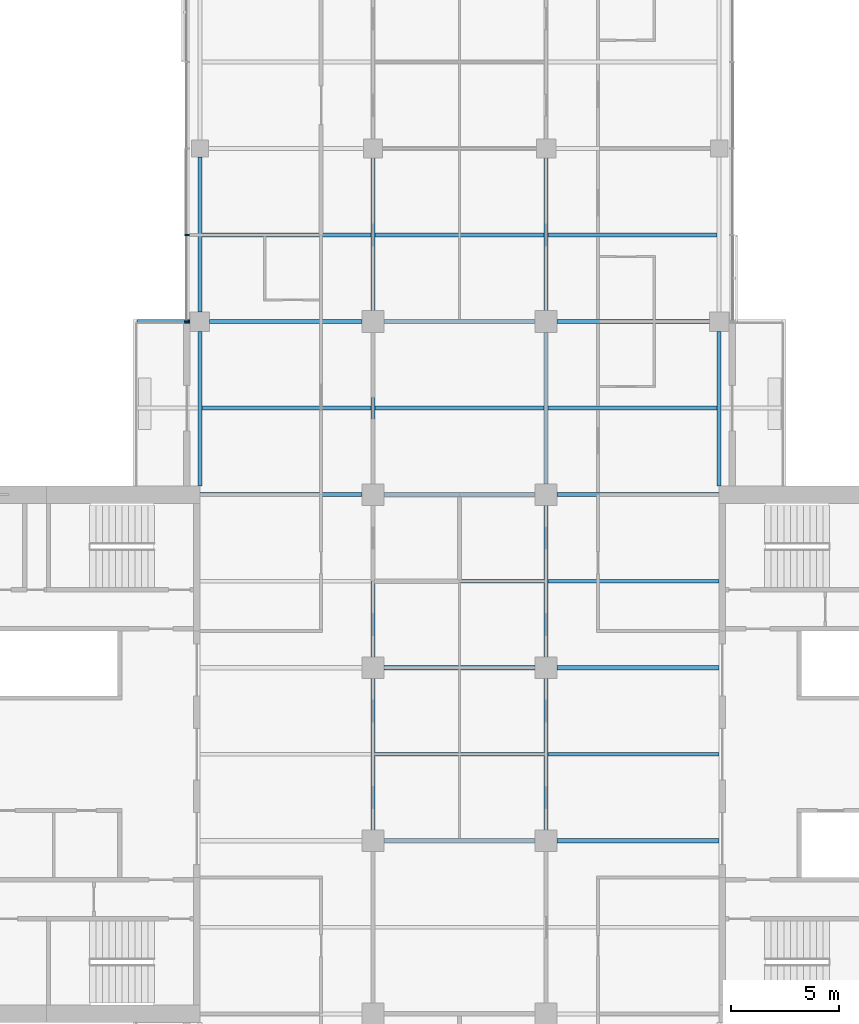
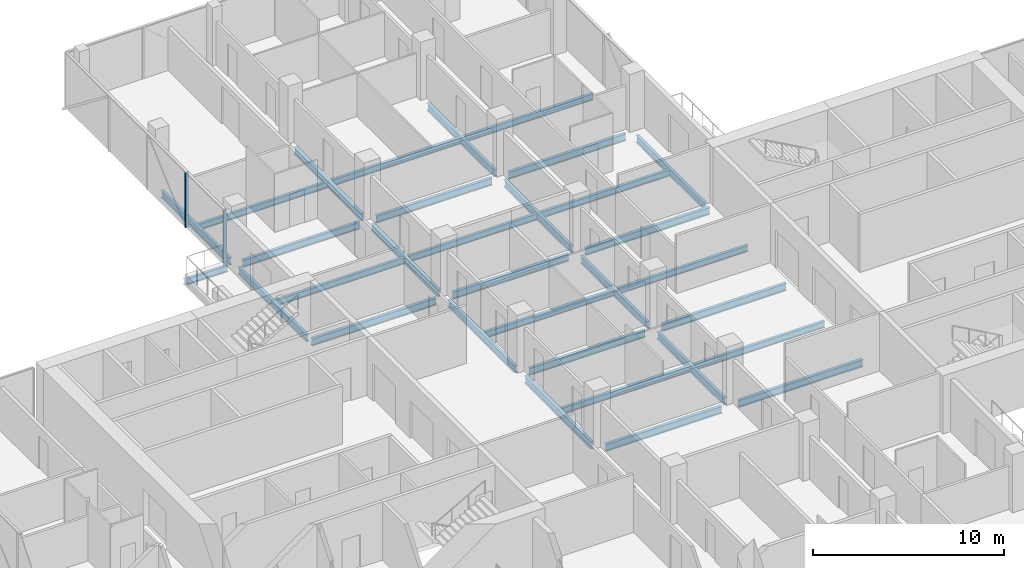
# One storey, part 9 of 27: 32 beams, 2 members, 1 element without a shape of its own.
"""IFC4 building model written with IfcOpenShell, lengths in metres."""

from ifc_helpers import new_model, si_unit, direction, frame, origin, origin_2d, place, context, subcontext, project, spatial, rectangle, i_section, extrude, material, material_profile, profile_set, type_object, element, aggregate, save


model = new_model("IFC4")

# Units and contexts
model_context = context("Model", 3, precision=1e-05, world=origin(), true_north=direction((0.0, 1.0)))
body_context = subcontext(model_context, "Body", "Model", "MODEL_VIEW")
ifc_project = project(units=[si_unit("LENGTHUNIT", "METRE"), si_unit("AREAUNIT", "SQUARE_METRE"), si_unit("VOLUMEUNIT", "CUBIC_METRE"), si_unit("PLANEANGLEUNIT", "RADIAN"), si_unit("MASSUNIT", "GRAM", prefix="KILO")], contexts=[model_context])

# Site, building, storey
site_placement = place(None, origin())
site = spatial("IfcSite", under=ifc_project, at=site_placement, CompositionType="ELEMENT")
building_placement = place(site_placement, origin())
building = spatial("IfcBuilding", under=site, at=building_placement, Name="Crosswind Convention Tower", CompositionType="ELEMENT")
storey_placement = place(building_placement, frame((0.0, 0.0, 101.60009765625)))
storey = spatial("IfcBuildingStorey", under=building, at=storey_placement, Name="L20", CompositionType="ELEMENT", Elevation=101.60009765625)

# Beams
ifc_material_1 = material(Name="Steel S355", Category="steel")
ifc_material_profile_1 = material_profile(ifc_material_1, i_section(OverallWidth=0.177734375, OverallDepth=0.406494140625, WebThickness=0.0078125, FlangeThickness=0.0126953125, FilletRadius=0.01025390625, at=origin_2d()), Name="UB 406x178x60")
ifc_profile_set_1 = profile_set([ifc_material_profile_1], Name="Steel S355")
beam_type_1 = type_object("IfcBeamType", Name="Balcony cantilever UB 406x178x60", PredefinedType="BEAM", material=ifc_profile_set_1)
beam_1_placement = place(storey_placement, frame((112.550048828125, 120.0, -0.4833984375), z_axis=(-1.0, 0.0, 0.0), x_axis=(0.0, -1.0, 0.0)))
element("IfcBeam", 1, at=beam_1_placement, inside=storey, type_object=beam_type_1, Name="B35 L20 balcony cantilever NW 5", PredefinedType="BEAM", context=body_context, shape_type="SweptSolid", body=[
    extrude(i_section(OverallWidth=0.177734375, OverallDepth=0.406494140625, WebThickness=0.0078125, FlangeThickness=0.0126953125, FilletRadius=0.01025390625, at=origin_2d()), origin(), (0.0, 0.0, 1.0), 2.464599609375),
])
ifc_material_profile_2 = material_profile(ifc_material_1, i_section(OverallWidth=0.1904296875, OverallDepth=0.457275390625, WebThickness=0.009033203125, FlangeThickness=0.014404296875, FilletRadius=0.01025390625, at=origin_2d()), Name="UB 457x191x75")
ifc_profile_set_2 = profile_set([ifc_material_profile_2], Name="Steel S355")
beam_type_2 = type_object("IfcBeamType", Name="Edge beam UB 457x191x75", PredefinedType="SPANDREL", material=ifc_profile_set_2)
for number, where, z_axis, x_axis, name in (
    (2, (113.0, 112.39990234375, -0.5087890625), (0.0, 1.0, 0.0), (-1.0, 0.0, 0.0), "B17 L20 edge beam 9"),
    (3, (113.0, 120.449951171875, -0.5087890625), (0.0, 1.0, 0.0), (-1.0, 0.0, 0.0), "B17 L20 edge beam 10"),
    (4, (137.0, 112.39990234375, -0.5087890625), (0.0, 1.0, 0.0), (-1.0, 0.0, 0.0), "B17 L20 edge beam 21"),
):
    element("IfcBeam", number, at=place(storey_placement, frame(where, z_axis=z_axis, x_axis=x_axis)), inside=storey, type_object=beam_type_2, Name=name, PredefinedType="SPANDREL", context=body_context, shape_type="SweptSolid", body=[
        extrude(i_section(OverallWidth=0.1904296875, OverallDepth=0.457275390625, WebThickness=0.009033203125, FlangeThickness=0.014404296875, FilletRadius=0.01025390625, at=origin_2d()), origin(), (0.0, 0.0, 1.0), 7.150146484375),
    ])
ifc_material_profile_3 = material_profile(ifc_material_1, i_section(OverallWidth=0.19140625, OverallDepth=0.460205078125, WebThickness=0.010009765625, FlangeThickness=0.01611328125, FilletRadius=0.01025390625, at=origin_2d()), Name="UB 457x191x82")
ifc_profile_set_3 = profile_set([ifc_material_profile_3], Name="Steel S355")
beam_type_3 = type_object("IfcBeamType", Name="Girder UB 457x191x82", PredefinedType="BEAM", material=ifc_profile_set_3)
beam_2_placement = place(storey_placement, frame((113.449951171875, 120.0, -0.51025390625), z_axis=(1.0, 0.0, 0.0), x_axis=(0.0, 1.0, 0.0)))
element("IfcBeam", 5, at=beam_2_placement, inside=storey, type_object=beam_type_3, Name="B3 L20 girder 4", PredefinedType="BEAM", context=body_context, shape_type="SweptSolid", body=[
    extrude(i_section(OverallWidth=0.19140625, OverallDepth=0.460205078125, WebThickness=0.010009765625, FlangeThickness=0.01611328125, FilletRadius=0.01025390625, at=origin_2d()), origin(), (0.0, 0.0, 1.0), 7.050048828125),
])
for number, where, z_axis, x_axis, name in (
    (6, (121.0, 96.5, -0.51025390625), (0.0, 1.0, 0.0), (-1.0, 0.0, 0.0), "B3 L20 girder 9"),
    (7, (121.0, 104.5, -0.51025390625), (0.0, 1.0, 0.0), (-1.0, 0.0, 0.0), "B3 L20 girder 10"),
    (8, (121.0, 112.5, -0.51025390625), (0.0, 1.0, 0.0), (-1.0, 0.0, 0.0), "B3 L20 girder 11"),
):
    element("IfcBeam", number, at=place(storey_placement, frame(where, z_axis=z_axis, x_axis=x_axis)), inside=storey, type_object=beam_type_3, Name=name, PredefinedType="BEAM", context=body_context, shape_type="SweptSolid", body=[
        extrude(i_section(OverallWidth=0.19140625, OverallDepth=0.460205078125, WebThickness=0.010009765625, FlangeThickness=0.01611328125, FilletRadius=0.01025390625, at=origin_2d()), origin(), (0.0, 0.0, 1.0), 7.0),
    ])
beam_3_placement = place(storey_placement, frame((121.0, 120.5, -0.51025390625), z_axis=(0.0, 1.0, 0.0), x_axis=(-1.0, 0.0, 0.0)))
element("IfcBeam", 9, at=beam_3_placement, inside=storey, type_object=beam_type_3, Name="B3 L20 girder 12", PredefinedType="BEAM", context=body_context, shape_type="SweptSolid", body=[
    extrude(i_section(OverallWidth=0.19140625, OverallDepth=0.460205078125, WebThickness=0.010009765625, FlangeThickness=0.01611328125, FilletRadius=0.01025390625, at=origin_2d()), origin(), (0.0, 0.0, 1.0), 7.050048828125),
])
for number, where, z_axis, x_axis, name in (
    (10, (121.5, 96.0, -0.51025390625), (1.0, 0.0, 0.0), (0.0, 1.0, 0.0), "B3 L20 girder 18"),
    (11, (121.5, 104.0, -0.51025390625), (1.0, 0.0, 0.0), (0.0, 1.0, 0.0), "B3 L20 girder 19"),
    (12, (121.5, 112.0, -0.51025390625), (1.0, 0.0, 0.0), (0.0, 1.0, 0.0), "B3 L20 girder 20"),
    (13, (121.5, 120.0, -0.51025390625), (1.0, 0.0, 0.0), (0.0, 1.0, 0.0), "B3 L20 girder 21"),
    (14, (129.0, 96.5, -0.51025390625), (0.0, 1.0, 0.0), (-1.0, 0.0, 0.0), "B3 L20 girder 26"),
    (15, (129.0, 104.5, -0.51025390625), (0.0, 1.0, 0.0), (-1.0, 0.0, 0.0), "B3 L20 girder 27"),
    (16, (129.0, 112.5, -0.51025390625), (0.0, 1.0, 0.0), (-1.0, 0.0, 0.0), "B3 L20 girder 28"),
):
    element("IfcBeam", number, at=place(storey_placement, frame(where, z_axis=z_axis, x_axis=x_axis)), inside=storey, type_object=beam_type_3, Name=name, PredefinedType="BEAM", context=body_context, shape_type="SweptSolid", body=[
        extrude(i_section(OverallWidth=0.19140625, OverallDepth=0.460205078125, WebThickness=0.010009765625, FlangeThickness=0.01611328125, FilletRadius=0.01025390625, at=origin_2d()), origin(), (0.0, 0.0, 1.0), 7.0),
    ])
for number, where, z_axis, x_axis, name in (
    (17, (129.0, 120.5, -0.51025390625), (0.0, 1.0, 0.0), (-1.0, 0.0, 0.0), "B3 L20 girder 29"),
    (18, (129.5, 120.0, -0.51025390625), (1.0, 0.0, 0.0), (0.0, 1.0, 0.0), "B3 L20 girder 34"),
):
    element("IfcBeam", number, at=place(storey_placement, frame(where, z_axis=z_axis, x_axis=x_axis)), inside=storey, type_object=beam_type_3, Name=name, PredefinedType="BEAM", context=body_context, shape_type="SweptSolid", body=[
        extrude(i_section(OverallWidth=0.19140625, OverallDepth=0.460205078125, WebThickness=0.010009765625, FlangeThickness=0.01611328125, FilletRadius=0.01025390625, at=origin_2d()), origin(), (0.0, 0.0, 1.0), 7.050048828125),
    ])
ifc_material_profile_4 = material_profile(ifc_material_1, i_section(OverallWidth=0.19189453125, OverallDepth=0.463623046875, WebThickness=0.010498046875, FlangeThickness=0.017578125, FilletRadius=0.01025390625, at=origin_2d()), Name="UB 457x191x90")
ifc_profile_set_4 = profile_set([ifc_material_profile_4], Name="Steel S355")
beam_type_4 = type_object("IfcBeamType", Name="Girder at core wall UB 457x191x90", PredefinedType="BEAM", material=ifc_profile_set_4)
for number, where, z_axis, x_axis, name in (
    (19, (113.0, 112.0, -0.511962890625), (1.0, 0.0, 0.0), (0.0, 1.0, 0.0), "B24 L20 girder at core wall 6"),
    (20, (129.5, 96.0, -0.511962890625), (1.0, 0.0, 0.0), (0.0, 1.0, 0.0), "B24 L20 girder at core wall 8"),
    (21, (129.5, 104.0, -0.511962890625), (1.0, 0.0, 0.0), (0.0, 1.0, 0.0), "B24 L20 girder at core wall 9"),
    (22, (129.5, 112.0, -0.511962890625), (1.0, 0.0, 0.0), (0.0, 1.0, 0.0), "B24 L20 girder at core wall 10"),
):
    element("IfcBeam", number, at=place(storey_placement, frame(where, z_axis=z_axis, x_axis=x_axis)), inside=storey, type_object=beam_type_4, Name=name, PredefinedType="BEAM", context=body_context, shape_type="SweptSolid", body=[
        extrude(i_section(OverallWidth=0.19189453125, OverallDepth=0.463623046875, WebThickness=0.010498046875, FlangeThickness=0.017578125, FilletRadius=0.01025390625, at=origin_2d()), origin(), (0.0, 0.0, 1.0), 7.5),
    ])

# Curtain wall, members
ifc_material_2 = material(Name="Aluminium unitised curtain wall", Category="aluminium")
curtain_wall_type = type_object("IfcCurtainWallType", Name="HOTEL UNITISED WALL 200", PredefinedType="USERDEFINED", material=ifc_material_2)
curtain_wall_placement = place(storey_placement, origin())
curtain_wall = element("IfcCurtainWall", 23, at=curtain_wall_placement, inside=storey, type_object=curtain_wall_type, Name="CW2 L20 N-W 1", ObjectType="UNITISED", PredefinedType="USERDEFINED")
ifc_material_3 = material(Name="Aluminium mullion", Category="aluminium")
ifc_material_profile_5 = material_profile(ifc_material_3, rectangle(XDim=0.199951171875, YDim=0.06494140625, at=origin_2d()), Name="AL 200X65")
ifc_profile_set_5 = profile_set([ifc_material_profile_5], Name="Aluminium mullion")
member_type = type_object("IfcMemberType", Name="MULLION 65X200", PredefinedType="MULLION", material=ifc_profile_set_5)
member_1_placement = place(storey_placement, frame((112.39990234375, 124.0, -0.280029296875), z_axis=(0.0, 0.0, 1.0), x_axis=(-1.0, 0.0, 0.0)))
member_1 = element("IfcMember", 24, at=member_1_placement, type_object=member_type, Name="CW2 mullion 4", PredefinedType="MULLION", context=body_context, shape_type="SweptSolid", body=[
    extrude(rectangle(XDim=0.199951171875, YDim=0.06494140625, at=origin_2d()), origin(), (0.0, 0.0, 1.0), 3.514892578125),
])
member_2_placement = place(storey_placement, frame((112.39990234375, 120.0, -0.280029296875), z_axis=(0.0, 0.0, 1.0), x_axis=(-1.0, 0.0, 0.0)))
member_2 = element("IfcMember", 25, at=member_2_placement, type_object=member_type, Name="CW2 mullion 5", PredefinedType="MULLION", context=body_context, shape_type="SweptSolid", body=[
    extrude(rectangle(XDim=0.199951171875, YDim=0.06494140625, at=origin_2d()), origin(), (0.0, 0.0, 1.0), 3.514892578125),
])
aggregate(curtain_wall, [member_1, member_2])

# Beams
ifc_material_profile_6 = material_profile(ifc_material_1, i_section(OverallWidth=0.177734375, OverallDepth=0.406494140625, WebThickness=0.0078125, FlangeThickness=0.0126953125, FilletRadius=0.01025390625, at=origin_2d()), Name="UB 406x178x60")
ifc_profile_set_6 = profile_set([ifc_material_profile_6], Name="Steel S355")
beam_type_5 = type_object("IfcBeamType", Name="Secondary beam UB 406x178x60", PredefinedType="JOIST", material=ifc_profile_set_6)
for number, where, z_axis, x_axis, name in (
    (26, (113.09521484375, 116.0, -0.4833984375), (1.0, 0.0, 0.0), (0.0, 1.0, 0.0), "B10 L20 secondary beam 10"),
    (27, (113.09521484375, 124.0, -0.4833984375), (1.0, 0.0, 0.0), (0.0, 1.0, 0.0), "B10 L20 secondary beam 11"),
):
    element("IfcBeam", number, at=place(storey_placement, frame(where, z_axis=z_axis, x_axis=x_axis)), inside=storey, type_object=beam_type_5, Name=name, PredefinedType="JOIST", context=body_context, shape_type="SweptSolid", body=[
        extrude(i_section(OverallWidth=0.177734375, OverallDepth=0.406494140625, WebThickness=0.0078125, FlangeThickness=0.0126953125, FilletRadius=0.01025390625, at=origin_2d()), origin(), (0.0, 0.0, 1.0), 7.80908203125),
    ])
for number, where, z_axis, x_axis, name in (
    (28, (121.095703125, 100.0, -0.4833984375), (1.0, 0.0, 0.0), (0.0, 1.0, 0.0), "B10 L20 secondary beam 17"),
    (29, (121.095703125, 108.0, -0.4833984375), (1.0, 0.0, 0.0), (0.0, 1.0, 0.0), "B10 L20 secondary beam 18"),
    (30, (121.095703125, 116.0, -0.4833984375), (1.0, 0.0, 0.0), (0.0, 1.0, 0.0), "B10 L20 secondary beam 19"),
    (31, (121.095703125, 124.0, -0.4833984375), (1.0, 0.0, 0.0), (0.0, 1.0, 0.0), "B10 L20 secondary beam 20"),
):
    element("IfcBeam", number, at=place(storey_placement, frame(where, z_axis=z_axis, x_axis=x_axis)), inside=storey, type_object=beam_type_5, Name=name, PredefinedType="JOIST", context=body_context, shape_type="SweptSolid", body=[
        extrude(i_section(OverallWidth=0.177734375, OverallDepth=0.406494140625, WebThickness=0.0078125, FlangeThickness=0.0126953125, FilletRadius=0.01025390625, at=origin_2d()), origin(), (0.0, 0.0, 1.0), 7.80859375),
    ])
for number, where, z_axis, x_axis, name in (
    (32, (129.095703125, 100.0, -0.4833984375), (1.0, 0.0, 0.0), (0.0, 1.0, 0.0), "B10 L20 secondary beam 26"),
    (33, (129.095703125, 108.0, -0.4833984375), (1.0, 0.0, 0.0), (0.0, 1.0, 0.0), "B10 L20 secondary beam 27"),
):
    element("IfcBeam", number, at=place(storey_placement, frame(where, z_axis=z_axis, x_axis=x_axis)), inside=storey, type_object=beam_type_5, Name=name, PredefinedType="JOIST", context=body_context, shape_type="SweptSolid", body=[
        extrude(i_section(OverallWidth=0.177734375, OverallDepth=0.406494140625, WebThickness=0.0078125, FlangeThickness=0.0126953125, FilletRadius=0.01025390625, at=origin_2d()), origin(), (0.0, 0.0, 1.0), 7.904296875),
    ])
for number, where, z_axis, x_axis, name in (
    (34, (129.095703125, 116.0, -0.4833984375), (1.0, 0.0, 0.0), (0.0, 1.0, 0.0), "B10 L20 secondary beam 28"),
    (35, (129.095703125, 124.0, -0.4833984375), (1.0, 0.0, 0.0), (0.0, 1.0, 0.0), "B10 L20 secondary beam 29"),
):
    element("IfcBeam", number, at=place(storey_placement, frame(where, z_axis=z_axis, x_axis=x_axis)), inside=storey, type_object=beam_type_5, Name=name, PredefinedType="JOIST", context=body_context, shape_type="SweptSolid", body=[
        extrude(i_section(OverallWidth=0.177734375, OverallDepth=0.406494140625, WebThickness=0.0078125, FlangeThickness=0.0126953125, FilletRadius=0.01025390625, at=origin_2d()), origin(), (0.0, 0.0, 1.0), 7.80908203125),
    ])

save(model, "model.ifc")
